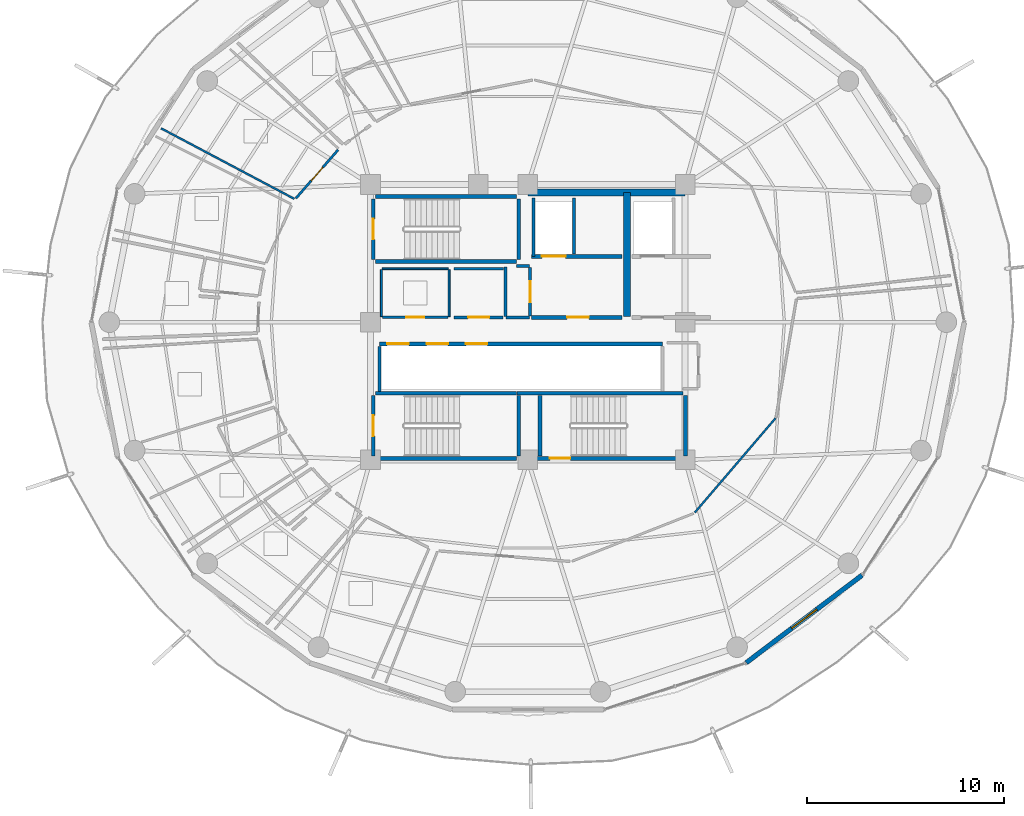
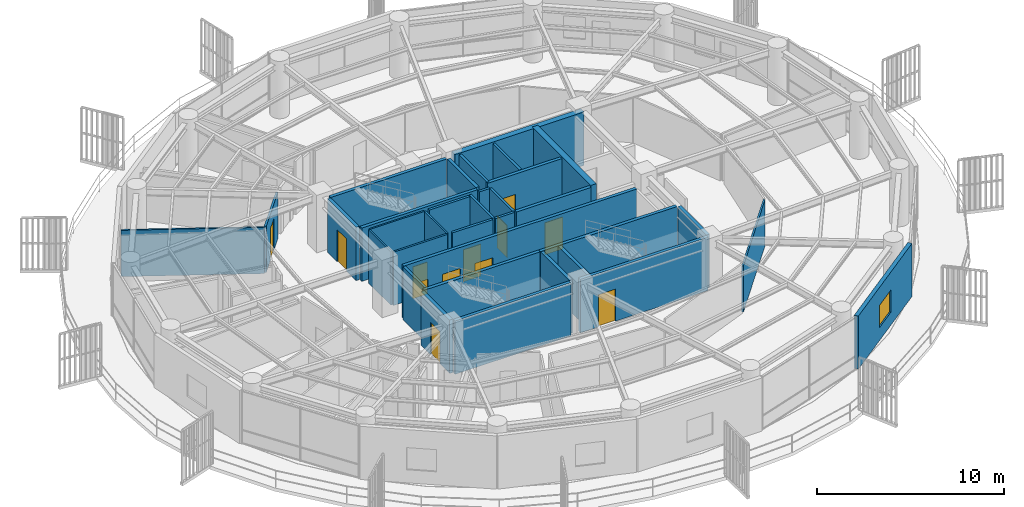
# One storey, part 25 of 31: 34 walls, 12 doors, 1 window, 13 openings.
"""IFC4 building model written with IfcOpenShell, lengths in metres."""

from ifc_helpers import new_model, si_unit, direction, frame, frame_2d, origin, place, context, subcontext, project, spatial, rectangle, extrude, material, layer, layer_set, type_object, element, fill, save


model = new_model("IFC4")

# Units and contexts
model_context = context("Model", 3, precision=1e-05, world=origin(), true_north=direction((0.0, 1.0)))
body_context = subcontext(model_context, "Body", "Model", "MODEL_VIEW")
ifc_project = project(units=[si_unit("LENGTHUNIT", "METRE"), si_unit("AREAUNIT", "SQUARE_METRE"), si_unit("VOLUMEUNIT", "CUBIC_METRE"), si_unit("PLANEANGLEUNIT", "RADIAN"), si_unit("MASSUNIT", "GRAM", prefix="KILO")], contexts=[model_context])

# Site, building, storey
site_placement = place(None, origin())
site = spatial("IfcSite", under=ifc_project, at=site_placement, CompositionType="ELEMENT")
building_placement = place(site_placement, origin())
building = spatial("IfcBuilding", under=site, at=building_placement, Name="Kelanora Arch Commons", CompositionType="ELEMENT")
storey_placement = place(building_placement, frame((0.0, 0.0, 230.699951171875)))
storey = spatial("IfcBuildingStorey", under=building, at=storey_placement, Name="L59", CompositionType="ELEMENT", Elevation=230.699951171875)

# Walls
ifc_material_1 = material(Name="Autoclaved aerated concrete blockwork with fire plaster", Category="masonry")
ifc_layer_1 = layer(ifc_material_1, 0.14990234375)
ifc_layer_set_1 = layer_set([ifc_layer_1], Name="Autoclaved aerated concrete blockwork with fire plaster")
wall_type_1 = type_object("IfcWallType", Name="W-COMP-150", PredefinedType="PARTITIONING", material=ifc_layer_set_1)
wall_1_placement = place(storey_placement, frame((74.280029296875, 61.35009765625, 0.0), z_axis=(0.0, 0.0, 1.0), x_axis=(0.0, 1.0, 0.0)))
element("IfcWall", 1, at=wall_1_placement, inside=storey, type_object=wall_type_1, Name="Firefighting Lift 1 West Shaft Wall L59", PredefinedType="PARTITIONING", context=body_context, shape_type="SweptSolid", body=[
    extrude(rectangle(XDim=2.969970703125, YDim=0.14990234375, at=frame_2d((1.48486328125, 0.0))), origin(), (0.0, 0.0, 1.0), 3.47998046875),
])
wall_2_placement = place(storey_placement, frame((76.360107421875, 61.47998046875, 0.0), z_axis=(0.0, 0.0, 1.0), x_axis=(0.0, 1.0, 0.0)))
element("IfcWall", 2, at=wall_2_placement, inside=storey, type_object=wall_type_1, Name="Firefighting Lift 1 East Shaft Wall L59", PredefinedType="PARTITIONING", context=body_context, shape_type="SweptSolid", body=[
    extrude(rectangle(XDim=2.840087890625, YDim=0.14990234375, at=frame_2d((1.419921875, 0.0))), origin(), (0.0, 0.0, 1.0), 3.47998046875),
])
wall_3_placement = place(storey_placement, frame((66.4599609375, 54.47998046875, 0.0), z_axis=(0.0, 0.0, 1.0), x_axis=(0.0, 1.0, 0.0)))
element("IfcWall", 3, at=wall_3_placement, inside=storey, type_object=wall_type_1, Name="South Lift Bank West Wall L59", PredefinedType="PARTITIONING", context=body_context, shape_type="SweptSolid", body=[
    extrude(rectangle(XDim=2.2900390625, YDim=0.14990234375, at=frame_2d((1.14501953125, 0.0))), origin(), (0.0, 0.0, 1.0), 3.47998046875),
])

# Wall, opening, door
wall_4_placement = place(storey_placement, frame((74.1201171875, 58.31005859375, 0.0), z_axis=(0.0, 0.0, 1.0), x_axis=(0.0, 1.0, 0.0)))
wall_4 = element("IfcWall", 4, at=wall_4_placement, inside=storey, type_object=wall_type_1, Name="Core Linen Supply Store L59 Entry Partition", PredefinedType="PARTITIONING", context=body_context, shape_type="SweptSolid", body=[
    extrude(rectangle(XDim=2.47998046875, YDim=0.14990234375, at=frame_2d((1.239990234375, 0.0))), origin(), (0.0, 0.0, 1.0), 3.47998046875),
])
opening_1_placement = place(wall_4_placement, frame((0.699951171875, 0.0, 0.0)))
opening_1 = element("IfcOpeningElement", 5, at=opening_1_placement, cuts=wall_4, Name="Opening D-PLT1", PredefinedType="OPENING", context=body_context, shape_type="SweptSolid", body=[
    extrude(rectangle(XDim=1.080078125, YDim=2.10009765625, at=frame_2d((0.5400390625, 1.050048828125))), frame((0.0, 0.0849609375, 0.0), z_axis=(0.0, -1.0, 0.0), x_axis=(1.0, 0.0, 0.0)), (0.0, 0.0, 1.0), 0.169921875),
])
ifc_material_2 = material(Name="Galvanised steel plant and riser fire door", Category="steel")
door_type_1 = type_object("IfcDoorType", Name="D-PLT-110", OperationType="NOTDEFINED", PredefinedType="DOOR", material=ifc_material_2)
door_1_placement = place(opening_1_placement, origin())
door_1 = element("IfcDoor", 6, at=door_1_placement, inside=storey, type_object=door_type_1, Name="Core Linen Supply Store L59 Door", OperationType="SINGLE_SWING_LEFT", OverallHeight=2.10009765625, OverallWidth=1.080078125, PredefinedType="DOOR", context=body_context, shape_type="SweptSolid", body=[
    extrude(rectangle(XDim=1.080078125, YDim=2.10009765625, at=frame_2d((0.5400390625, 1.050048828125))), frame((0.0, 0.02490234375, 0.0), z_axis=(0.0, -1.0, 0.0), x_axis=(1.0, 0.0, 0.0)), (0.0, 0.0, 1.0), 0.050048828125),
])
fill(opening_1, door_1)

wall_5_placement = place(storey_placement, frame((70.260009765625, 58.25, 0.0), z_axis=(0.0, 0.0, 1.0), x_axis=(1.0, 0.0, 0.0)))
wall_5 = element("IfcWall", 7, at=wall_5_placement, inside=storey, type_object=wall_type_1, Name="Reclaimed Core Linen Store L59 Entry Partition", PredefinedType="PARTITIONING", context=body_context, shape_type="SweptSolid", body=[
    extrude(rectangle(XDim=2.47998046875, YDim=0.14990234375, at=frame_2d((1.239990234375, 0.0))), origin(), (0.0, 0.0, 1.0), 3.47998046875),
])
opening_2_placement = place(wall_5_placement, frame((0.699951171875, 0.0, 0.0)))
opening_2 = element("IfcOpeningElement", 8, at=opening_2_placement, cuts=wall_5, Name="Opening D-PLT1", PredefinedType="OPENING", context=body_context, shape_type="SweptSolid", body=[
    extrude(rectangle(XDim=1.080078125, YDim=2.10009765625, at=frame_2d((0.5400390625, 1.050048828125))), frame((0.0, 0.0849609375, 0.0), z_axis=(0.0, -1.0, 0.0), x_axis=(1.0, 0.0, 0.0)), (0.0, 0.0, 1.0), 0.169921875),
])
door_2_placement = place(opening_2_placement, origin())
door_2 = element("IfcDoor", 9, at=door_2_placement, inside=storey, type_object=door_type_1, Name="Reclaimed Core Linen Store L59 Door", OperationType="SINGLE_SWING_RIGHT", OverallHeight=2.10009765625, OverallWidth=1.080078125, PredefinedType="DOOR", context=body_context, shape_type="SweptSolid", body=[
    extrude(rectangle(XDim=1.080078125, YDim=2.10009765625, at=frame_2d((0.5400390625, 1.050048828125))), frame((0.0, 0.02490234375, 0.0), z_axis=(0.0, -1.0, 0.0), x_axis=(1.0, 0.0, 0.0)), (0.0, 0.0, 1.0), 0.050048828125),
])
fill(opening_2, door_2)

# Walls
wall_6_placement = place(storey_placement, frame((72.89990234375, 58.25, 0.0), z_axis=(0.0, 0.0, 1.0), x_axis=(1.0, 0.0, 0.0)))
element("IfcWall", 10, at=wall_6_placement, inside=storey, type_object=wall_type_1, Name="Core Linen Supply Store L59 Enclosure Partition 1", PredefinedType="PARTITIONING", context=body_context, shape_type="SweptSolid", body=[
    extrude(rectangle(XDim=1.18017578125, YDim=0.14990234375, at=frame_2d((0.590087890625, 0.0))), origin(), (0.0, 0.0, 1.0), 3.47998046875),
])
wall_7_placement = place(storey_placement, frame((74.080078125, 60.85009765625, 0.0), z_axis=(0.0, 0.0, 1.0), x_axis=(-1.0, 0.0, 0.0)))
element("IfcWall", 11, at=wall_7_placement, inside=storey, type_object=wall_type_1, Name="Core Linen Supply Store L59 Enclosure Partition 3", PredefinedType="PARTITIONING", context=body_context, shape_type="SweptSolid", body=[
    extrude(rectangle(XDim=0.66015625, YDim=0.14990234375, at=frame_2d((0.330078125, 0.0))), origin(), (0.0, 0.0, 1.0), 3.47998046875),
])
for number, where, z_axis, x_axis, name in (
    (12, (72.860107421875, 60.81005859375, 0.0), (0.0, 0.0, 1.0), (0.0, -1.0, 0.0), "Core Linen Supply Store L59 Enclosure Partition 4"),
    (13, (72.760009765625, 60.719970703125, 0.0), (0.0, 0.0, 1.0), (-1.0, 0.0, 0.0), "Reclaimed Core Linen Store L59 Enclosure Partition 3"),
):
    element("IfcWall", number, at=place(storey_placement, frame(where, z_axis=z_axis, x_axis=x_axis)), inside=storey, type_object=wall_type_1, Name=name, PredefinedType="PARTITIONING", context=body_context, shape_type="SweptSolid", body=[
        extrude(rectangle(XDim=2.52001953125, YDim=0.14990234375, at=frame_2d((1.260009765625, 0.0))), origin(), (0.0, 0.0, 1.0), 3.47998046875),
    ])
ifc_material_3 = material(Name="Concrete C50/60", Category="concrete")
ifc_layer_2 = layer(ifc_material_3, 0.35009765625)
ifc_layer_set_2 = layer_set([ifc_layer_2], Name="Concrete C50/60")
wall_type_2 = type_object("IfcWallType", Name="W-CORE-350", PredefinedType="SHEAR", material=ifc_layer_set_2)
wall_8_placement = place(storey_placement, frame((74.0, 64.60009765625, 0.0), z_axis=(0.0, 0.0, 1.0), x_axis=(1.0, 0.0, 0.0)))
element("IfcWall", 14, at=wall_8_placement, inside=storey, type_object=wall_type_2, Name="Core Shear Spine L59-CN-E", PredefinedType="SHEAR", context=body_context, shape_type="SweptSolid", body=[
    extrude(rectangle(XDim=8.0, YDim=0.35009765625, at=frame_2d((4.0, 0.0))), origin(), (0.0, 0.0, 1.0), 3.489990234375),
])
wall_9_placement = place(storey_placement, frame((79.050048828125, 58.300048828125, 0.0), z_axis=(0.0, 0.0, 1.0), x_axis=(0.0, 1.0, 0.0)))
element("IfcWall", 15, at=wall_9_placement, inside=storey, type_object=wall_type_2, Name="Core Shear Spine L59-CE-N", PredefinedType="SHEAR", context=body_context, shape_type="SweptSolid", body=[
    extrude(rectangle(XDim=6.300048828125, YDim=0.35009765625, at=frame_2d((3.14990234375, 0.0))), origin(), (0.0, 0.0, 1.0), 3.489990234375),
])

# Wall, opening, window
ifc_material_4 = material(Name="Precast concrete C40/50 upper-zone terracotta rainscreen", Category="masonry")
ifc_layer_3 = layer(ifc_material_4, 0.239990234375)
ifc_layer_set_3 = layer_set([ifc_layer_3], Name="Precast concrete C40/50 upper-zone terracotta rainscreen")
wall_type_3 = type_object("IfcWallType", Name="W-EXT-TC2", PredefinedType="SOLIDWALL", material=ifc_layer_set_3)
wall_10_placement = place(storey_placement, frame((85.112060546875, 40.6884765625, 0.0), z_axis=(0.0, 0.0, 1.0), x_axis=(0.797701674595, 0.603052268338, 0.0)))
wall_10 = element("IfcWall", 16, at=wall_10_placement, inside=storey, type_object=wall_type_3, Name="Terracotta Exterior Wall L59-B15", PredefinedType="SOLIDWALL", context=body_context, shape_type="SweptSolid", body=[
    extrude(rectangle(XDim=7.373779296875, YDim=0.239990234375, at=frame_2d((3.68701171875, 0.0))), origin(), (0.0, 0.0, 1.0), 3.47509765625),
])
opening_3_placement = place(wall_10_placement, frame((2.886962890625, 0.0, 0.85009765625)))
opening_3 = element("IfcOpeningElement", 17, at=opening_3_placement, cuts=wall_10, Name="Opening WN-01", PredefinedType="OPENING", context=body_context, shape_type="SweptSolid", body=[
    extrude(rectangle(XDim=1.60009765625, YDim=1.449951171875, at=frame_2d((0.800048828125, 0.72509765625))), frame((0.0, 0.1298828125, 0.0), z_axis=(0.0, -1.0, 0.0), x_axis=(1.0, 0.0, 0.0)), (0.0, 0.0, 1.0), 0.260009765625),
])
ifc_material_5 = material(Name="Terracotta-anodised aluminium frame with operable low-E glazing", Category="masonry")
window_type = type_object("IfcWindowType", Name="WIN-CL-18", PartitioningType="DOUBLE_PANEL_VERTICAL", PredefinedType="WINDOW", material=ifc_material_5)
window_placement = place(opening_3_placement, origin())
window = element("IfcWindow", 18, at=window_placement, inside=storey, type_object=window_type, Name="Co-Living Operable Window L59-B15", OverallHeight=1.449951171875, OverallWidth=1.60009765625, PartitioningType="SINGLE_PANEL", PredefinedType="WINDOW", context=body_context, shape_type="SweptSolid", body=[
    extrude(rectangle(XDim=1.60009765625, YDim=1.449951171875, at=frame_2d((0.800048828125, 0.72509765625))), frame((0.0, 0.030029296875, 0.0), z_axis=(0.0, -1.0, 0.0), x_axis=(1.0, 0.0, 0.0)), (0.0, 0.0, 1.0), 0.06005859375),
])
fill(opening_3, window)

# Wall, opening, door
ifc_material_6 = material(Name="Concrete C40/50", Category="concrete")
ifc_layer_4 = layer(ifc_material_6, 0.199951171875)
ifc_layer_set_4 = layer_set([ifc_layer_4], Name="Concrete C40/50")
wall_type_4 = type_object("IfcWallType", Name="W-FFL-200", PredefinedType="SOLIDWALL", material=ifc_layer_set_4)
wall_11_placement = place(storey_placement, frame((74.199951171875, 61.35009765625, 0.0), z_axis=(0.0, 0.0, 1.0), x_axis=(1.0, 0.0, 0.0)))
wall_11 = element("IfcWall", 19, at=wall_11_placement, inside=storey, type_object=wall_type_4, Name="Firefighting Lift 1 Shaft Front L59", PredefinedType="SOLIDWALL", context=body_context, shape_type="SweptSolid", body=[
    extrude(rectangle(XDim=4.60009765625, YDim=0.199951171875, at=frame_2d((2.300048828125, 0.0))), origin(), (0.0, 0.0, 1.0), 3.47998046875),
])
opening_4_placement = place(wall_11_placement, frame((0.52001953125, 0.0, 0.0)))
opening_4 = element("IfcOpeningElement", 20, at=opening_4_placement, cuts=wall_11, Name="Opening LD-FF", PredefinedType="OPENING", context=body_context, shape_type="SweptSolid", body=[
    extrude(rectangle(XDim=1.199951171875, YDim=2.14990234375, at=frame_2d((0.60009765625, 1.074951171875))), frame((0.0, 0.10986328125, 0.0), z_axis=(0.0, -1.0, 0.0), x_axis=(1.0, 0.0, 0.0)), (0.0, 0.0, 1.0), 0.219970703125),
])
ifc_material_7 = material(Name="Fire-rated firefighters lift sliding landing door")
door_type_2 = type_object("IfcDoorType", Name="D-LIFT-FF", OperationType="NOTDEFINED", PredefinedType="DOOR", material=ifc_material_7)
door_3_placement = place(opening_4_placement, origin())
door_3 = element("IfcDoor", 21, at=door_3_placement, inside=storey, type_object=door_type_2, Name="Firefighting Lift LF-FF1 Landing Door L59", OperationType="DOUBLE_DOOR_SLIDING", OverallHeight=2.14990234375, OverallWidth=1.199951171875, PredefinedType="DOOR", context=body_context, shape_type="SweptSolid", body=[
    extrude(rectangle(XDim=1.199951171875, YDim=2.14990234375, at=frame_2d((0.60009765625, 1.074951171875))), frame((0.0, 0.02490234375, 0.0), z_axis=(0.0, -1.0, 0.0), x_axis=(1.0, 0.0, 0.0)), (0.0, 0.0, 1.0), 0.050048828125),
])
fill(opening_4, door_3)

wall_12_placement = place(storey_placement, frame((74.199951171875, 58.25, 0.0), z_axis=(0.0, 0.0, 1.0), x_axis=(1.0, 0.0, 0.0)))
wall_12 = element("IfcWall", 22, at=wall_12_placement, inside=storey, type_object=wall_type_4, Name="Firefighting Lobby 1 Enclosure Wall L59", PredefinedType="SOLIDWALL", context=body_context, shape_type="SweptSolid", body=[
    extrude(rectangle(XDim=4.60009765625, YDim=0.199951171875, at=frame_2d((2.300048828125, 0.0))), origin(), (0.0, 0.0, 1.0), 3.47998046875),
])
opening_5_placement = place(wall_12_placement, frame((1.800048828125, 0.0, 0.0)))
opening_5 = element("IfcOpeningElement", 23, at=opening_5_placement, cuts=wall_12, Name="Opening D-FFL1", PredefinedType="OPENING", context=body_context, shape_type="SweptSolid", body=[
    extrude(rectangle(XDim=1.10009765625, YDim=2.10009765625, at=frame_2d((0.550048828125, 1.050048828125))), frame((0.0, 0.10986328125, 0.0), z_axis=(0.0, -1.0, 0.0), x_axis=(1.0, 0.0, 0.0)), (0.0, 0.0, 1.0), 0.219970703125),
])
ifc_material_8 = material(Name="Smoke-sealed firefighting lobby fire door")
door_type_3 = type_object("IfcDoorType", Name="D-FFL-110", OperationType="NOTDEFINED", PredefinedType="DOOR", material=ifc_material_8)
door_4_placement = place(opening_5_placement, frame((1.10009765625, 0.0, 0.0), z_axis=(0.0, 0.0, 1.0), x_axis=(-1.0, 0.0, 0.0)))
door_4 = element("IfcDoor", 24, at=door_4_placement, inside=storey, type_object=door_type_3, Name="Firefighting Lobby 1 Door L59", OperationType="SINGLE_SWING_LEFT", OverallHeight=2.10009765625, OverallWidth=1.10009765625, PredefinedType="DOOR", context=body_context, shape_type="SweptSolid", body=[
    extrude(rectangle(XDim=1.10009765625, YDim=2.10009765625, at=frame_2d((0.550048828125, 1.050048828125))), frame((0.0, 0.02490234375, 0.0), z_axis=(0.0, -1.0, 0.0), x_axis=(1.0, 0.0, 0.0)), (0.0, 0.0, 1.0), 0.050048828125),
])
fill(opening_5, door_4)

# Wall, openings, doors
wall_13_placement = place(storey_placement, frame((66.449951171875, 56.89990234375, 0.0), z_axis=(0.0, 0.0, 1.0), x_axis=(1.0, 0.0, 0.0)))
wall_13 = element("IfcWall", 25, at=wall_13_placement, inside=storey, type_object=wall_type_4, Name="Mid/High/Express Lift Shaft Front L59", PredefinedType="SOLIDWALL", context=body_context, shape_type="SweptSolid", body=[
    extrude(rectangle(XDim=14.400146484375, YDim=0.199951171875, at=frame_2d((7.2001953125, 0.0))), origin(), (0.0, 0.0, 1.0), 3.47998046875),
])
opening_6_placement = place(wall_13_placement, frame((0.39990234375, 0.0, 0.0)))
opening_6 = element("IfcOpeningElement", 26, at=opening_6_placement, cuts=wall_13, Name="Opening LD-01", PredefinedType="OPENING", context=body_context, shape_type="SweptSolid", body=[
    extrude(rectangle(XDim=1.10009765625, YDim=2.10009765625, at=frame_2d((0.550048828125, 1.050048828125))), frame((0.0, 0.10986328125, 0.0), z_axis=(0.0, -1.0, 0.0), x_axis=(1.0, 0.0, 0.0)), (0.0, 0.0, 1.0), 0.219970703125),
])
opening_7_placement = place(wall_13_placement, frame((2.39990234375, 0.0, 0.0)))
opening_7 = element("IfcOpeningElement", 27, at=opening_7_placement, cuts=wall_13, Name="Opening LD-01", PredefinedType="OPENING", context=body_context, shape_type="SweptSolid", body=[
    extrude(rectangle(XDim=1.10009765625, YDim=2.10009765625, at=frame_2d((0.550048828125, 1.050048828125))), frame((0.0, 0.10986328125, 0.0), z_axis=(0.0, -1.0, 0.0), x_axis=(1.0, 0.0, 0.0)), (0.0, 0.0, 1.0), 0.219970703125),
])
opening_8_placement = place(wall_13_placement, frame((4.39990234375, 0.0, 0.0)))
opening_8 = element("IfcOpeningElement", 28, at=opening_8_placement, cuts=wall_13, Name="Opening LD-01", PredefinedType="OPENING", context=body_context, shape_type="SweptSolid", body=[
    extrude(rectangle(XDim=1.10009765625, YDim=2.10009765625, at=frame_2d((0.550048828125, 1.050048828125))), frame((0.0, 0.10986328125, 0.0), z_axis=(0.0, -1.0, 0.0), x_axis=(1.0, 0.0, 0.0)), (0.0, 0.0, 1.0), 0.219970703125),
])
ifc_material_9 = material(Name="Stainless steel passenger lift sliding landing door", Category="steel")
door_type_4 = type_object("IfcDoorType", Name="D-LIFT-110", OperationType="NOTDEFINED", PredefinedType="DOOR", material=ifc_material_9)
door_5_placement = place(opening_6_placement, origin())
door_5 = element("IfcDoor", 29, at=door_5_placement, inside=storey, type_object=door_type_4, Name="Passenger Lift LF-P4 Landing Door L59", OperationType="DOUBLE_DOOR_SLIDING", OverallHeight=2.10009765625, OverallWidth=1.10009765625, PredefinedType="DOOR", context=body_context, shape_type="SweptSolid", body=[
    extrude(rectangle(XDim=1.10009765625, YDim=2.10009765625, at=frame_2d((0.550048828125, 1.050048828125))), frame((0.0, 0.02490234375, 0.0), z_axis=(0.0, -1.0, 0.0), x_axis=(1.0, 0.0, 0.0)), (0.0, 0.0, 1.0), 0.050048828125),
])
fill(opening_6, door_5)
door_6_placement = place(opening_7_placement, origin())
door_6 = element("IfcDoor", 30, at=door_6_placement, inside=storey, type_object=door_type_4, Name="Passenger Lift LF-P5 Landing Door L59", OperationType="DOUBLE_DOOR_SLIDING", OverallHeight=2.10009765625, OverallWidth=1.10009765625, PredefinedType="DOOR", context=body_context, shape_type="SweptSolid", body=[
    extrude(rectangle(XDim=1.10009765625, YDim=2.10009765625, at=frame_2d((0.550048828125, 1.050048828125))), frame((0.0, 0.02490234375, 0.0), z_axis=(0.0, -1.0, 0.0), x_axis=(1.0, 0.0, 0.0)), (0.0, 0.0, 1.0), 0.050048828125),
])
fill(opening_7, door_6)
door_7_placement = place(opening_8_placement, origin())
door_7 = element("IfcDoor", 31, at=door_7_placement, inside=storey, type_object=door_type_4, Name="Passenger Lift LF-P6 Landing Door L59", OperationType="DOUBLE_DOOR_SLIDING", OverallHeight=2.10009765625, OverallWidth=1.10009765625, PredefinedType="DOOR", context=body_context, shape_type="SweptSolid", body=[
    extrude(rectangle(XDim=1.10009765625, YDim=2.10009765625, at=frame_2d((0.550048828125, 1.050048828125))), frame((0.0, 0.02490234375, 0.0), z_axis=(0.0, -1.0, 0.0), x_axis=(1.0, 0.0, 0.0)), (0.0, 0.0, 1.0), 0.050048828125),
])
fill(opening_8, door_7)

# Walls
ifc_material_10 = material(Name="Lightweight fire-rated acoustic stud partition")
ifc_layer_5 = layer(ifc_material_10, 0.10009765625)
ifc_layer_set_5 = layer_set([ifc_layer_5], Name="Lightweight fire-rated acoustic stud partition")
wall_type_5 = type_object("IfcWallType", Name="W-PART-100", PredefinedType="PARTITIONING", material=ifc_layer_set_5)
wall_14_placement = place(storey_placement, frame((70.0, 58.2900390625, 0.0), z_axis=(0.0, 0.0, 1.0), x_axis=(0.0, 1.0, 0.0)))
element("IfcWall", 32, at=wall_14_placement, inside=storey, type_object=wall_type_5, Name="Reclaimed Core Quiet Phone Booths L59 Enclosure Partition 2", PredefinedType="PARTITIONING", context=body_context, shape_type="SweptSolid", body=[
    extrude(rectangle(XDim=2.389892578125, YDim=0.10009765625, at=frame_2d((1.19482421875, 0.0))), origin(), (0.0, 0.0, 1.0), 3.47998046875),
])
wall_15_placement = place(storey_placement, frame((69.9599609375, 60.719970703125, 0.0), z_axis=(0.0, 0.0, 1.0), x_axis=(-1.0, 0.0, 0.0)))
element("IfcWall", 33, at=wall_15_placement, inside=storey, type_object=wall_type_5, Name="Reclaimed Core Quiet Phone Booths L59 Enclosure Partition 3", PredefinedType="PARTITIONING", context=body_context, shape_type="SweptSolid", body=[
    extrude(rectangle(XDim=3.369873046875, YDim=0.10009765625, at=frame_2d((1.68505859375, 0.0))), origin(), (0.0, 0.0, 1.0), 3.47998046875),
])
wall_16_placement = place(storey_placement, frame((66.550048828125, 60.679931640625, 0.0), z_axis=(0.0, 0.0, 1.0), x_axis=(0.0, -1.0, 0.0)))
element("IfcWall", 34, at=wall_16_placement, inside=storey, type_object=wall_type_5, Name="Reclaimed Core Quiet Phone Booths L59 Enclosure Partition 4", PredefinedType="PARTITIONING", context=body_context, shape_type="SweptSolid", body=[
    extrude(rectangle(XDim=2.389892578125, YDim=0.10009765625, at=frame_2d((1.19482421875, 0.0))), origin(), (0.0, 0.0, 1.0), 3.47998046875),
])
wall_17_placement = place(storey_placement, frame((82.488037109375, 48.3203125, 0.0), z_axis=(0.0, 0.0, 1.0), x_axis=(0.650415654335, 0.759578486133, 0.0)))
element("IfcWall", 35, at=wall_17_placement, inside=storey, type_object=wall_type_5, Name="South-East Shared Study Commons L59 Enclosure Partition 3", PredefinedType="PARTITIONING", context=body_context, shape_type="SweptSolid", body=[
    extrude(rectangle(XDim=6.31591796875, YDim=0.10009765625, at=frame_2d((3.157958984375, 0.0))), origin(), (0.0, 0.0, 1.0), 3.025146484375),
])
wall_18_placement = place(storey_placement, frame((62.131591796875, 64.271728515625, 0.0), z_axis=(0.0, 0.0, 1.0), x_axis=(-0.883813456485, 0.467839474752, 0.0)))
element("IfcWall", 36, at=wall_18_placement, inside=storey, type_object=wall_type_5, Name="Social Sky Lounge L59-02 Enclosure Partition 2", PredefinedType="PARTITIONING", context=body_context, shape_type="SweptSolid", body=[
    extrude(rectangle(XDim=7.672607421875, YDim=0.10009765625, at=frame_2d((3.83642578125, 0.0))), origin(), (0.0, 0.0, 1.0), 3.025146484375),
])

# Wall, opening, door
ifc_material_11 = material(Name="Acoustic twin-stud fire-rated gypsum partition")
ifc_layer_6 = layer(ifc_material_11, 0.1201171875)
ifc_layer_set_6 = layer_set([ifc_layer_6], Name="Acoustic twin-stud fire-rated gypsum partition")
wall_type_6 = type_object("IfcWallType", Name="W-PART-120", PredefinedType="PARTITIONING", material=ifc_layer_set_6)
wall_19_placement = place(storey_placement, frame((66.610107421875, 58.25, 0.0), z_axis=(0.0, 0.0, 1.0), x_axis=(1.0, 0.0, 0.0)))
wall_19 = element("IfcWall", 37, at=wall_19_placement, inside=storey, type_object=wall_type_6, Name="Reclaimed Core Quiet Phone Booths L59 Entry Partition", PredefinedType="PARTITIONING", context=body_context, shape_type="SweptSolid", body=[
    extrude(rectangle(XDim=3.329833984375, YDim=0.1201171875, at=frame_2d((1.6650390625, 0.0))), origin(), (0.0, 0.0, 1.0), 3.47998046875),
])
opening_9_placement = place(wall_19_placement, frame((1.215087890625, 0.0, 0.0)))
opening_9 = element("IfcOpeningElement", 38, at=opening_9_placement, cuts=wall_19, Name="Opening D-RM1", PredefinedType="OPENING", context=body_context, shape_type="SweptSolid", body=[
    extrude(rectangle(XDim=0.89990234375, YDim=2.080078125, at=frame_2d((0.449951171875, 1.0400390625))), frame((0.0, 0.070068359375, 0.0), z_axis=(0.0, -1.0, 0.0), x_axis=(1.0, 0.0, 0.0)), (0.0, 0.0, 1.0), 0.14013671875),
])
ifc_material_12 = material(Name="Acoustic fire-rated timber study and lounge door", Category="wood")
door_type_5 = type_object("IfcDoorType", Name="D-ROOM-90", OperationType="NOTDEFINED", PredefinedType="DOOR", material=ifc_material_12)
door_8_placement = place(opening_9_placement, origin())
door_8 = element("IfcDoor", 39, at=door_8_placement, inside=storey, type_object=door_type_5, Name="Reclaimed Core Quiet Phone Booths L59 Door", OperationType="SINGLE_SWING_LEFT", OverallHeight=2.080078125, OverallWidth=0.89990234375, PredefinedType="DOOR", context=body_context, shape_type="SweptSolid", body=[
    extrude(rectangle(XDim=0.89990234375, YDim=2.080078125, at=frame_2d((0.449951171875, 1.0400390625))), frame((0.0, 0.02490234375, 0.0), z_axis=(0.0, -1.0, 0.0), x_axis=(1.0, 0.0, 0.0)), (0.0, 0.0, 1.0), 0.050048828125),
])
fill(opening_9, door_8)

wall_20_placement = place(storey_placement, frame((64.3515625, 66.7626953125, 0.0), z_axis=(0.0, 0.0, 1.0), x_axis=(-0.656587461417, -0.75424989593, 0.0)))
wall_20 = element("IfcWall", 40, at=wall_20_placement, inside=storey, type_object=wall_type_6, Name="Social Sky Lounge L59-02 Entry Partition", PredefinedType="PARTITIONING", context=body_context, shape_type="SweptSolid", body=[
    extrude(rectangle(XDim=3.267333984375, YDim=0.1201171875, at=frame_2d((1.6337890625, 0.0))), origin(), (0.0, 0.0, 1.0), 3.025146484375),
])
opening_10_placement = place(wall_20_placement, frame((1.18408203125, 0.0, 0.0)))
opening_10 = element("IfcOpeningElement", 41, at=opening_10_placement, cuts=wall_20, Name="Opening D-RM1", PredefinedType="OPENING", context=body_context, shape_type="SweptSolid", body=[
    extrude(rectangle(XDim=0.89990234375, YDim=2.080078125, at=frame_2d((0.449951171875, 1.0400390625))), frame((0.0, 0.070068359375, 0.0), z_axis=(0.0, -1.0, 0.0), x_axis=(1.0, 0.0, 0.0)), (0.0, 0.0, 1.0), 0.14013671875),
])
door_9_placement = place(opening_10_placement, origin())
door_9 = element("IfcDoor", 42, at=door_9_placement, inside=storey, type_object=door_type_5, Name="Social Sky Lounge L59-02 Door", OperationType="SINGLE_SWING_LEFT", OverallHeight=2.080078125, OverallWidth=0.89990234375, PredefinedType="DOOR", context=body_context, shape_type="SweptSolid", body=[
    extrude(rectangle(XDim=0.89990234375, YDim=2.080078125, at=frame_2d((0.449951171875, 1.0400390625))), frame((0.0, 0.02490234375, 0.0), z_axis=(0.0, -1.0, 0.0), x_axis=(1.0, 0.0, 0.0)), (0.0, 0.0, 1.0), 0.050048828125),
])
fill(opening_10, door_9)

# Walls
ifc_layer_7 = layer(ifc_material_6, 0.199951171875)
ifc_layer_set_7 = layer_set([ifc_layer_7], Name="Concrete C40/50")
wall_type_7 = type_object("IfcWallType", Name="W-STAIR-200", PredefinedType="SHEAR", material=ifc_layer_set_7)
wall_21_placement = place(storey_placement, frame((66.260009765625, 61.080078125, 0.0), z_axis=(0.0, 0.0, 1.0), x_axis=(1.0, 0.0, 0.0)))
element("IfcWall", 43, at=wall_21_placement, inside=storey, type_object=wall_type_7, Name="Stair ST-T1 Shaft Wall S L59", PredefinedType="SHEAR", context=body_context, shape_type="SweptSolid", body=[
    extrude(rectangle(XDim=7.159912109375, YDim=0.199951171875, at=frame_2d((3.580078125, 0.0))), origin(), (0.0, 0.0, 1.0), 3.489990234375),
])
wall_22_placement = place(storey_placement, frame((73.5400390625, 61.199951171875, 0.0), z_axis=(0.0, 0.0, 1.0), x_axis=(0.0, 1.0, 0.0)))
element("IfcWall", 44, at=wall_22_placement, inside=storey, type_object=wall_type_7, Name="Stair ST-T1 Shaft Wall E L59", PredefinedType="SHEAR", context=body_context, shape_type="SweptSolid", body=[
    extrude(rectangle(XDim=3.070068359375, YDim=0.199951171875, at=frame_2d((1.53515625, 0.0))), origin(), (0.0, 0.0, 1.0), 3.489990234375),
])
wall_23_placement = place(storey_placement, frame((73.419921875, 64.389892578125, 0.0), z_axis=(0.0, 0.0, 1.0), x_axis=(-1.0, 0.0, 0.0)))
element("IfcWall", 45, at=wall_23_placement, inside=storey, type_object=wall_type_7, Name="Stair ST-T1 Shaft Wall N L59", PredefinedType="SHEAR", context=body_context, shape_type="SweptSolid", body=[
    extrude(rectangle(XDim=7.159912109375, YDim=0.199951171875, at=frame_2d((3.580078125, 0.0))), origin(), (0.0, 0.0, 1.0), 3.489990234375),
])

# Wall, opening, door
wall_24_placement = place(storey_placement, frame((66.139892578125, 64.27001953125, 0.0), z_axis=(0.0, 0.0, 1.0), x_axis=(0.0, -1.0, 0.0)))
wall_24 = element("IfcWall", 46, at=wall_24_placement, inside=storey, type_object=wall_type_7, Name="Stair ST-T1 Shaft Wall W L59", PredefinedType="SHEAR", context=body_context, shape_type="SweptSolid", body=[
    extrude(rectangle(XDim=3.070068359375, YDim=0.199951171875, at=frame_2d((1.53515625, 0.0))), origin(), (0.0, 0.0, 1.0), 3.489990234375),
])
opening_11_placement = place(wall_24_placement, frame((1.010009765625, 0.0, 0.0)))
opening_11 = element("IfcOpeningElement", 47, at=opening_11_placement, cuts=wall_24, Name="Opening D-ST1", PredefinedType="OPENING", context=body_context, shape_type="SweptSolid", body=[
    extrude(rectangle(XDim=1.050048828125, YDim=2.10009765625, at=frame_2d((0.52490234375, 1.050048828125))), frame((0.0, 0.10986328125, 0.0), z_axis=(0.0, -1.0, 0.0), x_axis=(1.0, 0.0, 0.0)), (0.0, 0.0, 1.0), 0.219970703125),
])
ifc_material_13 = material(Name="Steel fire-rated stairwell escape door", Category="steel")
door_type_6 = type_object("IfcDoorType", Name="D-STAIR-110", OperationType="NOTDEFINED", PredefinedType="DOOR", material=ifc_material_13)
door_10_placement = place(opening_11_placement, origin())
door_10 = element("IfcDoor", 48, at=door_10_placement, inside=storey, type_object=door_type_6, Name="Stair ST-T1 Escape Door L59", OperationType="SINGLE_SWING_LEFT", OverallHeight=2.10009765625, OverallWidth=1.050048828125, PredefinedType="DOOR", context=body_context, shape_type="SweptSolid", body=[
    extrude(rectangle(XDim=1.050048828125, YDim=2.10009765625, at=frame_2d((0.52490234375, 1.050048828125))), frame((0.0, 0.02490234375, 0.0), z_axis=(0.0, -1.0, 0.0), x_axis=(1.0, 0.0, 0.0)), (0.0, 0.0, 1.0), 0.050048828125),
])
fill(opening_11, door_10)

wall_25_placement = place(storey_placement, frame((74.0, 51.080078125, 0.0), z_axis=(0.0, 0.0, 1.0), x_axis=(1.0, 0.0, 0.0)))
wall_25 = element("IfcWall", 49, at=wall_25_placement, inside=storey, type_object=wall_type_7, Name="Stair ST-T2 Shaft Wall S L59", PredefinedType="SHEAR", context=body_context, shape_type="SweptSolid", body=[
    extrude(rectangle(XDim=7.89990234375, YDim=0.199951171875, at=frame_2d((3.949951171875, 0.0))), origin(), (0.0, 0.0, 1.0), 3.489990234375),
])
opening_12_placement = place(wall_25_placement, frame((1.1201171875, 0.0, 0.0)))
opening_12 = element("IfcOpeningElement", 50, at=opening_12_placement, cuts=wall_25, Name="Opening D-ST1", PredefinedType="OPENING", context=body_context, shape_type="SweptSolid", body=[
    extrude(rectangle(XDim=1.050048828125, YDim=2.10009765625, at=frame_2d((0.52490234375, 1.050048828125))), frame((0.0, 0.10986328125, 0.0), z_axis=(0.0, -1.0, 0.0), x_axis=(1.0, 0.0, 0.0)), (0.0, 0.0, 1.0), 0.219970703125),
])
door_11_placement = place(opening_12_placement, origin())
door_11 = element("IfcDoor", 51, at=door_11_placement, inside=storey, type_object=door_type_6, Name="Stair ST-T2 Escape Door L59", OperationType="SINGLE_SWING_LEFT", OverallHeight=2.10009765625, OverallWidth=1.050048828125, PredefinedType="DOOR", context=body_context, shape_type="SweptSolid", body=[
    extrude(rectangle(XDim=1.050048828125, YDim=2.10009765625, at=frame_2d((0.52490234375, 1.050048828125))), frame((0.0, 0.02490234375, 0.0), z_axis=(0.0, -1.0, 0.0), x_axis=(1.0, 0.0, 0.0)), (0.0, 0.0, 1.0), 0.050048828125),
])
fill(opening_12, door_11)

# Walls
wall_26_placement = place(storey_placement, frame((82.02001953125, 51.199951171875, 0.0), z_axis=(0.0, 0.0, 1.0), x_axis=(0.0, 1.0, 0.0)))
element("IfcWall", 52, at=wall_26_placement, inside=storey, type_object=wall_type_7, Name="Stair ST-T2 Shaft Wall E L59", PredefinedType="SHEAR", context=body_context, shape_type="SweptSolid", body=[
    extrude(rectangle(XDim=3.070068359375, YDim=0.199951171875, at=frame_2d((1.53515625, 0.0))), origin(), (0.0, 0.0, 1.0), 3.489990234375),
])
wall_27_placement = place(storey_placement, frame((81.89990234375, 54.389892578125, 0.0), z_axis=(0.0, 0.0, 1.0), x_axis=(-1.0, 0.0, 0.0)))
element("IfcWall", 53, at=wall_27_placement, inside=storey, type_object=wall_type_7, Name="Stair ST-T2 Shaft Wall N L59", PredefinedType="SHEAR", context=body_context, shape_type="SweptSolid", body=[
    extrude(rectangle(XDim=8.4599609375, YDim=0.199951171875, at=frame_2d((4.22998046875, 0.0))), origin(), (0.0, 0.0, 1.0), 3.489990234375),
])
wall_28_placement = place(storey_placement, frame((74.6201171875, 54.27001953125, 0.0), z_axis=(0.0, 0.0, 1.0), x_axis=(0.0, -1.0, 0.0)))
element("IfcWall", 54, at=wall_28_placement, inside=storey, type_object=wall_type_7, Name="Stair ST-T2 Shaft Wall W L59", PredefinedType="SHEAR", context=body_context, shape_type="SweptSolid", body=[
    extrude(rectangle(XDim=3.070068359375, YDim=0.199951171875, at=frame_2d((1.53515625, 0.0))), origin(), (0.0, 0.0, 1.0), 3.489990234375),
])
wall_29_placement = place(storey_placement, frame((66.260009765625, 51.080078125, 0.0), z_axis=(0.0, 0.0, 1.0), x_axis=(1.0, 0.0, 0.0)))
element("IfcWall", 55, at=wall_29_placement, inside=storey, type_object=wall_type_7, Name="Stair ST-T3 Shaft Wall S L59", PredefinedType="SHEAR", context=body_context, shape_type="SweptSolid", body=[
    extrude(rectangle(XDim=7.159912109375, YDim=0.199951171875, at=frame_2d((3.580078125, 0.0))), origin(), (0.0, 0.0, 1.0), 3.489990234375),
])
wall_30_placement = place(storey_placement, frame((73.5400390625, 51.199951171875, 0.0), z_axis=(0.0, 0.0, 1.0), x_axis=(0.0, 1.0, 0.0)))
element("IfcWall", 56, at=wall_30_placement, inside=storey, type_object=wall_type_7, Name="Stair ST-T3 Shaft Wall E L59", PredefinedType="SHEAR", context=body_context, shape_type="SweptSolid", body=[
    extrude(rectangle(XDim=3.070068359375, YDim=0.199951171875, at=frame_2d((1.53515625, 0.0))), origin(), (0.0, 0.0, 1.0), 3.489990234375),
])
wall_31_placement = place(storey_placement, frame((73.419921875, 54.389892578125, 0.0), z_axis=(0.0, 0.0, 1.0), x_axis=(-1.0, 0.0, 0.0)))
element("IfcWall", 57, at=wall_31_placement, inside=storey, type_object=wall_type_7, Name="Stair ST-T3 Shaft Wall N L59", PredefinedType="SHEAR", context=body_context, shape_type="SweptSolid", body=[
    extrude(rectangle(XDim=7.159912109375, YDim=0.199951171875, at=frame_2d((3.580078125, 0.0))), origin(), (0.0, 0.0, 1.0), 3.489990234375),
])

# Wall, opening, door
wall_32_placement = place(storey_placement, frame((66.139892578125, 54.27001953125, 0.0), z_axis=(0.0, 0.0, 1.0), x_axis=(0.0, -1.0, 0.0)))
wall_32 = element("IfcWall", 58, at=wall_32_placement, inside=storey, type_object=wall_type_7, Name="Stair ST-T3 Shaft Wall W L59", PredefinedType="SHEAR", context=body_context, shape_type="SweptSolid", body=[
    extrude(rectangle(XDim=3.070068359375, YDim=0.199951171875, at=frame_2d((1.53515625, 0.0))), origin(), (0.0, 0.0, 1.0), 3.489990234375),
])
opening_13_placement = place(wall_32_placement, frame((1.010009765625, 0.0, 0.0)))
opening_13 = element("IfcOpeningElement", 59, at=opening_13_placement, cuts=wall_32, Name="Opening D-ST1", PredefinedType="OPENING", context=body_context, shape_type="SweptSolid", body=[
    extrude(rectangle(XDim=1.050048828125, YDim=2.10009765625, at=frame_2d((0.52490234375, 1.050048828125))), frame((0.0, 0.10986328125, 0.0), z_axis=(0.0, -1.0, 0.0), x_axis=(1.0, 0.0, 0.0)), (0.0, 0.0, 1.0), 0.219970703125),
])
door_12_placement = place(opening_13_placement, origin())
door_12 = element("IfcDoor", 60, at=door_12_placement, inside=storey, type_object=door_type_6, Name="Stair ST-T3 Escape Door L59", OperationType="SINGLE_SWING_LEFT", OverallHeight=2.10009765625, OverallWidth=1.050048828125, PredefinedType="DOOR", context=body_context, shape_type="SweptSolid", body=[
    extrude(rectangle(XDim=1.050048828125, YDim=2.10009765625, at=frame_2d((0.52490234375, 1.050048828125))), frame((0.0, 0.02490234375, 0.0), z_axis=(0.0, -1.0, 0.0), x_axis=(1.0, 0.0, 0.0)), (0.0, 0.0, 1.0), 0.050048828125),
])
fill(opening_13, door_12)

save(model, "model.ifc")
